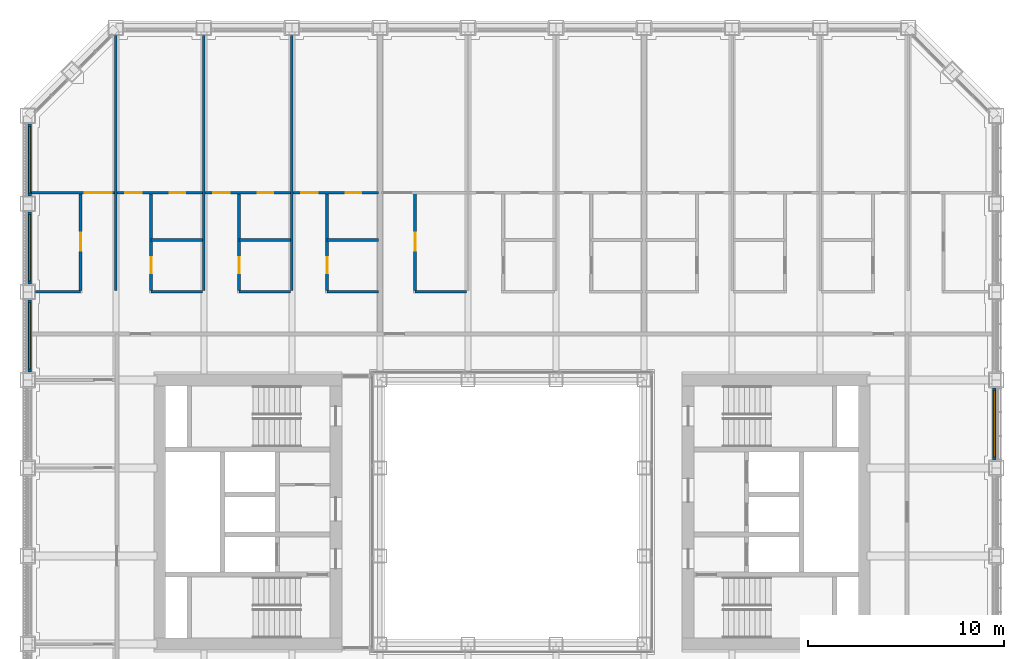
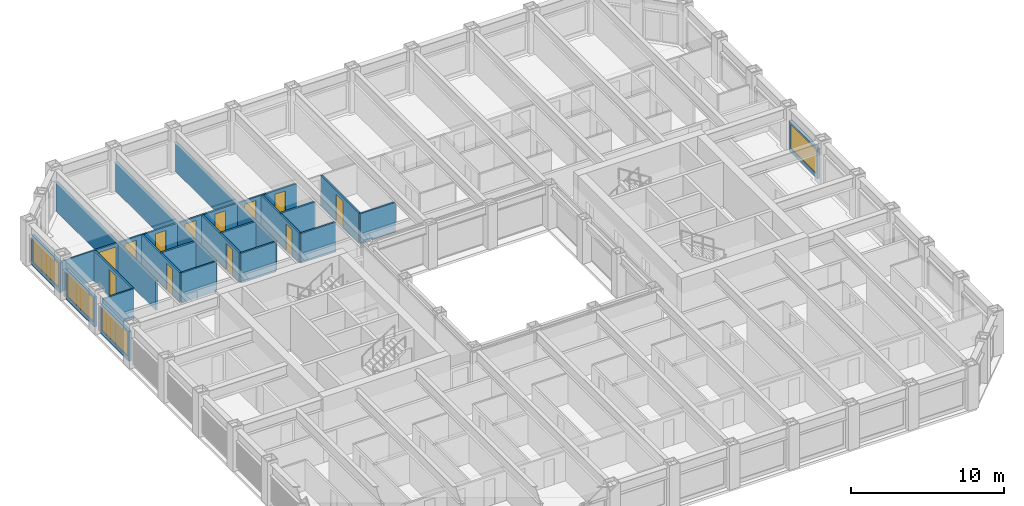
# One storey, part 13 of 21: 24 walls, 12 doors, 4 windows, 16 openings.
"""IFC4 building model written with IfcOpenShell, lengths in metres."""

from ifc_helpers import new_model, si_unit, direction, frame, frame_2d, origin, place, context, subcontext, project, spatial, rectangle, extrude, material, layer, layer_set, type_object, element, fill, save


model = new_model("IFC4")

# Units and contexts
model_context = context("Model", 3, precision=1e-05, world=origin(), true_north=direction((0.0, 1.0)))
body_context = subcontext(model_context, "Body", "Model", "MODEL_VIEW")
ifc_project = project(units=[si_unit("LENGTHUNIT", "METRE"), si_unit("AREAUNIT", "SQUARE_METRE"), si_unit("VOLUMEUNIT", "CUBIC_METRE"), si_unit("PLANEANGLEUNIT", "RADIAN"), si_unit("MASSUNIT", "GRAM", prefix="KILO")], contexts=[model_context])

# Site, building, storey
site_placement = place(None, origin())
site = spatial("IfcSite", under=ifc_project, at=site_placement, CompositionType="ELEMENT")
building_placement = place(site_placement, origin())
building = spatial("IfcBuilding", under=site, at=building_placement, Name="Msasa Ring Tower", CompositionType="ELEMENT")
storey_placement = place(building_placement, frame((0.0, 0.0, 96.5)))
storey = spatial("IfcBuildingStorey", under=building, at=storey_placement, Name="L25", CompositionType="ELEMENT", Elevation=96.5)

# Wall, opening, window
ifc_material_1 = material(Name="Terracotta rainscreen on blockwork", Category="masonry")
ifc_layer_1 = layer(ifc_material_1, 0.199951171875)
ifc_layer_set_1 = layer_set([ifc_layer_1], Name="FW1 TERRACOTTA-LINED INFILL BAY WALL 200")
wall_type_1 = type_object("IfcWallType", Name="FW1 TERRACOTTA-LINED INFILL BAY WALL 200", PredefinedType="SOLIDWALL", material=ifc_layer_set_1)
wall_1_placement = place(storey_placement, frame((24.64990234375, 2.655029296875, 0.0), z_axis=(0.0, 0.0, 1.0), x_axis=(0.0, 1.0, 0.0)))
wall_1 = element("IfcWall", 1, at=wall_1_placement, inside=storey, type_object=wall_type_1, Name="Infill bay wall E L25 16", PredefinedType="SOLIDWALL", context=body_context, shape_type="SweptSolid", body=[
    extrude(rectangle(XDim=3.68994140625, YDim=0.199951171875, at=frame_2d((1.844970703125, 0.0))), origin(), (0.0, 0.0, 1.0), 2.37890625),
])
opening_1_placement = place(wall_1_placement, frame((0.14501953125, 0.0, 0.300048828125)))
opening_1 = element("IfcOpeningElement", 2, at=opening_1_placement, cuts=wall_1, Name="Opening WN1", PredefinedType="OPENING", context=body_context, shape_type="SweptSolid", body=[
    extrude(rectangle(XDim=3.39990234375, YDim=1.928955078125, at=frame_2d((1.699951171875, 0.96435546875))), frame((0.0, 0.10986328125, 0.0), z_axis=(0.0, -1.0, 0.0), x_axis=(1.0, 0.0, 0.0)), (0.0, 0.0, 1.0), 0.219970703125),
])
ifc_material_2 = material(Name="Aluminium frame with clear glass", Category="aluminium")
window_type = type_object("IfcWindowType", Name="WN1 RESIDENCE WINDOW 3400x1929", PartitioningType="SINGLE_PANEL", PredefinedType="WINDOW", material=ifc_material_2)
window_1_placement = place(opening_1_placement, origin())
window_1 = element("IfcWindow", 3, at=window_1_placement, inside=storey, type_object=window_type, Name="Window E L25 16", OverallHeight=1.928955078125, OverallWidth=3.39990234375, PartitioningType="SINGLE_PANEL", PredefinedType="WINDOW", context=body_context, shape_type="SweptSolid", body=[
    extrude(rectangle(XDim=3.39990234375, YDim=1.928955078125, at=frame_2d((1.699951171875, 0.96435546875))), frame((0.0, 0.030029296875, 0.0), z_axis=(0.0, -1.0, 0.0), x_axis=(1.0, 0.0, 0.0)), (0.0, 0.0, 1.0), 0.06005859375),
])
fill(opening_1, window_1)

wall_2_placement = place(storey_placement, frame((-24.64990234375, 7.155029296875, 0.0), z_axis=(0.0, 0.0, 1.0), x_axis=(0.0, 1.0, 0.0)))
wall_2 = element("IfcWall", 4, at=wall_2_placement, inside=storey, type_object=wall_type_1, Name="Infill bay wall W L25 39", PredefinedType="SOLIDWALL", context=body_context, shape_type="SweptSolid", body=[
    extrude(rectangle(XDim=3.68994140625, YDim=0.199951171875, at=frame_2d((1.844970703125, 0.0))), origin(), (0.0, 0.0, 1.0), 2.37890625),
])
opening_2_placement = place(wall_2_placement, frame((0.14501953125, 0.0, 0.300048828125)))
opening_2 = element("IfcOpeningElement", 5, at=opening_2_placement, cuts=wall_2, Name="Opening WN1", PredefinedType="OPENING", context=body_context, shape_type="SweptSolid", body=[
    extrude(rectangle(XDim=3.39990234375, YDim=1.928955078125, at=frame_2d((1.699951171875, 0.96435546875))), frame((0.0, 0.10986328125, 0.0), z_axis=(0.0, -1.0, 0.0), x_axis=(1.0, 0.0, 0.0)), (0.0, 0.0, 1.0), 0.219970703125),
])
window_2_placement = place(opening_2_placement, origin())
window_2 = element("IfcWindow", 6, at=window_2_placement, inside=storey, type_object=window_type, Name="Window W L25 39", OverallHeight=1.928955078125, OverallWidth=3.39990234375, PartitioningType="SINGLE_PANEL", PredefinedType="WINDOW", context=body_context, shape_type="SweptSolid", body=[
    extrude(rectangle(XDim=3.39990234375, YDim=1.928955078125, at=frame_2d((1.699951171875, 0.96435546875))), frame((0.0, 0.030029296875, 0.0), z_axis=(0.0, -1.0, 0.0), x_axis=(1.0, 0.0, 0.0)), (0.0, 0.0, 1.0), 0.06005859375),
])
fill(opening_2, window_2)

wall_3_placement = place(storey_placement, frame((-24.64990234375, 11.655029296875, 0.0), z_axis=(0.0, 0.0, 1.0), x_axis=(0.0, 1.0, 0.0)))
wall_3 = element("IfcWall", 7, at=wall_3_placement, inside=storey, type_object=wall_type_1, Name="Infill bay wall W L25 40", PredefinedType="SOLIDWALL", context=body_context, shape_type="SweptSolid", body=[
    extrude(rectangle(XDim=3.68994140625, YDim=0.199951171875, at=frame_2d((1.844970703125, 0.0))), origin(), (0.0, 0.0, 1.0), 2.37890625),
])
opening_3_placement = place(wall_3_placement, frame((0.14501953125, 0.0, 0.300048828125)))
opening_3 = element("IfcOpeningElement", 8, at=opening_3_placement, cuts=wall_3, Name="Opening WN1", PredefinedType="OPENING", context=body_context, shape_type="SweptSolid", body=[
    extrude(rectangle(XDim=3.39990234375, YDim=1.928955078125, at=frame_2d((1.699951171875, 0.96435546875))), frame((0.0, 0.10986328125, 0.0), z_axis=(0.0, -1.0, 0.0), x_axis=(1.0, 0.0, 0.0)), (0.0, 0.0, 1.0), 0.219970703125),
])
window_3_placement = place(opening_3_placement, origin())
window_3 = element("IfcWindow", 9, at=window_3_placement, inside=storey, type_object=window_type, Name="Window W L25 40", OverallHeight=1.928955078125, OverallWidth=3.39990234375, PartitioningType="SINGLE_PANEL", PredefinedType="WINDOW", context=body_context, shape_type="SweptSolid", body=[
    extrude(rectangle(XDim=3.39990234375, YDim=1.928955078125, at=frame_2d((1.699951171875, 0.96435546875))), frame((0.0, 0.030029296875, 0.0), z_axis=(0.0, -1.0, 0.0), x_axis=(1.0, 0.0, 0.0)), (0.0, 0.0, 1.0), 0.06005859375),
])
fill(opening_3, window_3)

wall_4_placement = place(storey_placement, frame((-24.64990234375, 16.155029296875, 0.0), z_axis=(0.0, 0.0, 1.0), x_axis=(0.0, 1.0, 0.0)))
wall_4 = element("IfcWall", 10, at=wall_4_placement, inside=storey, type_object=wall_type_1, Name="Infill bay wall W L25 41", PredefinedType="SOLIDWALL", context=body_context, shape_type="SweptSolid", body=[
    extrude(rectangle(XDim=3.68994140625, YDim=0.199951171875, at=frame_2d((1.844970703125, 0.0))), origin(), (0.0, 0.0, 1.0), 2.37890625),
])
opening_4_placement = place(wall_4_placement, frame((0.14501953125, 0.0, 0.300048828125)))
opening_4 = element("IfcOpeningElement", 11, at=opening_4_placement, cuts=wall_4, Name="Opening WN1", PredefinedType="OPENING", context=body_context, shape_type="SweptSolid", body=[
    extrude(rectangle(XDim=3.39990234375, YDim=1.928955078125, at=frame_2d((1.699951171875, 0.96435546875))), frame((0.0, 0.10986328125, 0.0), z_axis=(0.0, -1.0, 0.0), x_axis=(1.0, 0.0, 0.0)), (0.0, 0.0, 1.0), 0.219970703125),
])
window_4_placement = place(opening_4_placement, origin())
window_4 = element("IfcWindow", 12, at=window_4_placement, inside=storey, type_object=window_type, Name="Window W L25 41", OverallHeight=1.928955078125, OverallWidth=3.39990234375, PartitioningType="SINGLE_PANEL", PredefinedType="WINDOW", context=body_context, shape_type="SweptSolid", body=[
    extrude(rectangle(XDim=3.39990234375, YDim=1.928955078125, at=frame_2d((1.699951171875, 0.96435546875))), frame((0.0, 0.030029296875, 0.0), z_axis=(0.0, -1.0, 0.0), x_axis=(1.0, 0.0, 0.0)), (0.0, 0.0, 1.0), 0.06005859375),
])
fill(opening_4, window_4)

# Wall, opening, door
ifc_material_3 = material(Name="Moisture-resistant board on steel studs with a concealed cistern and pipe void, tiled", Category="steel")
ifc_layer_2 = layer(ifc_material_3, 0.14990234375)
ifc_layer_set_2 = layer_set([ifc_layer_2], Name="PT4 BATHROOM WET WALL 150")
wall_type_2 = type_object("IfcWallType", Name="PT4 BATHROOM WET WALL 150", PredefinedType="PARTITIONING", material=ifc_layer_set_2)
wall_5_placement = place(storey_placement, frame((-22.050048828125, 11.3125, 0.0), z_axis=(0.0, 0.0, 1.0), x_axis=(0.0, 1.0, 0.0)))
wall_5 = element("IfcWall", 13, at=wall_5_placement, inside=storey, type_object=wall_type_2, Name="Partition L25-UN00SX0", PredefinedType="PARTITIONING", context=body_context, shape_type="SweptSolid", body=[
    extrude(rectangle(XDim=5.0, YDim=0.14990234375, at=frame_2d((2.5, 0.0))), origin(), (0.0, 0.0, 1.0), 2.373291015625),
])
opening_5_placement = place(wall_5_placement, frame((2.050048828125, 0.0, 0.0)))
opening_5 = element("IfcOpeningElement", 14, at=opening_5_placement, cuts=wall_5, Name="Opening RG-020", PredefinedType="OPENING", context=body_context, shape_type="SweptSolid", body=[
    extrude(rectangle(XDim=0.89990234375, YDim=2.10009765625, at=frame_2d((0.449951171875, 1.050048828125))), frame((0.0, 0.0849609375, 0.0), z_axis=(0.0, -1.0, 0.0), x_axis=(1.0, 0.0, 0.0)), (0.0, 0.0, 1.0), 0.169921875),
])
ifc_material_4 = material(Name="Timber door leaf in a steel frame", Category="steel")
door_type_1 = type_object("IfcDoorType", Name="D22 INTERNAL HALL DOOR 900x2100", OperationType="SINGLE_SWING_LEFT", PredefinedType="DOOR", material=ifc_material_4)
door_1_placement = place(opening_5_placement, origin())
door_1 = element("IfcDoor", 15, at=door_1_placement, inside=storey, type_object=door_type_1, Name="Door L25-UN00K", OperationType="SINGLE_SWING_LEFT", OverallHeight=2.10009765625, OverallWidth=0.89990234375, PredefinedType="DOOR", context=body_context, shape_type="SweptSolid", body=[
    extrude(rectangle(XDim=0.89990234375, YDim=2.10009765625, at=frame_2d((0.449951171875, 1.050048828125))), frame((0.0, 0.02490234375, 0.0), z_axis=(0.0, -1.0, 0.0), x_axis=(1.0, 0.0, 0.0)), (0.0, 0.0, 1.0), 0.050048828125),
])
fill(opening_5, door_1)

wall_6_placement = place(storey_placement, frame((-18.449951171875, 11.3125, 0.0), z_axis=(0.0, 0.0, 1.0), x_axis=(0.0, 1.0, 0.0)))
wall_6 = element("IfcWall", 16, at=wall_6_placement, inside=storey, type_object=wall_type_2, Name="Partition L25-UN00SX1", PredefinedType="PARTITIONING", context=body_context, shape_type="SweptSolid", body=[
    extrude(rectangle(XDim=5.0, YDim=0.14990234375, at=frame_2d((2.5, 0.0))), origin(), (0.0, 0.0, 1.0), 2.373291015625),
])
opening_6_placement = place(wall_6_placement, frame((0.89990234375, 0.0, 0.0)))
opening_6 = element("IfcOpeningElement", 17, at=opening_6_placement, cuts=wall_6, Name="Opening RG-023", PredefinedType="OPENING", context=body_context, shape_type="SweptSolid", body=[
    extrude(rectangle(XDim=0.800048828125, YDim=2.10009765625, at=frame_2d((0.39990234375, 1.050048828125))), frame((0.0, 0.0849609375, 0.0), z_axis=(0.0, -1.0, 0.0), x_axis=(1.0, 0.0, 0.0)), (0.0, 0.0, 1.0), 0.169921875),
])
ifc_material_5 = material(Name="Timber door leaf in a steel frame", Category="steel")
door_type_2 = type_object("IfcDoorType", Name="D21 POCKET SLIDING BATHROOM DOOR 800x2100", OperationType="SINGLE_SWING_LEFT", PredefinedType="DOOR", material=ifc_material_5)
door_2_placement = place(opening_6_placement, origin())
door_2 = element("IfcDoor", 18, at=door_2_placement, inside=storey, type_object=door_type_2, Name="Door L25-UN00B1", OperationType="SINGLE_SWING_LEFT", OverallHeight=2.10009765625, OverallWidth=0.800048828125, PredefinedType="DOOR", context=body_context, shape_type="SweptSolid", body=[
    extrude(rectangle(XDim=0.800048828125, YDim=2.10009765625, at=frame_2d((0.39990234375, 1.050048828125))), frame((0.0, 0.02490234375, 0.0), z_axis=(0.0, -1.0, 0.0), x_axis=(1.0, 0.0, 0.0)), (0.0, 0.0, 1.0), 0.050048828125),
])
fill(opening_6, door_2)

# Wall
wall_7_placement = place(storey_placement, frame((-18.449951171875, 13.91259765625, 0.0), z_axis=(0.0, 0.0, 1.0), x_axis=(1.0, 0.0, 0.0)))
element("IfcWall", 19, at=wall_7_placement, inside=storey, type_object=wall_type_2, Name="Partition L25-UN00SB1", PredefinedType="PARTITIONING", context=body_context, shape_type="SweptSolid", body=[
    extrude(rectangle(XDim=2.637451171875, YDim=0.14990234375, at=frame_2d((1.31884765625, 0.0))), origin(), (0.0, 0.0, 1.0), 2.373291015625),
])

# Wall, opening, door
wall_8_placement = place(storey_placement, frame((-13.949951171875, 11.3125, 0.0), z_axis=(0.0, 0.0, 1.0), x_axis=(0.0, 1.0, 0.0)))
wall_8 = element("IfcWall", 20, at=wall_8_placement, inside=storey, type_object=wall_type_2, Name="Partition L25-UN00SX2", PredefinedType="PARTITIONING", context=body_context, shape_type="SweptSolid", body=[
    extrude(rectangle(XDim=5.0, YDim=0.14990234375, at=frame_2d((2.5, 0.0))), origin(), (0.0, 0.0, 1.0), 2.373291015625),
])
opening_7_placement = place(wall_8_placement, frame((0.89990234375, 0.0, 0.0)))
opening_7 = element("IfcOpeningElement", 21, at=opening_7_placement, cuts=wall_8, Name="Opening RG-024", PredefinedType="OPENING", context=body_context, shape_type="SweptSolid", body=[
    extrude(rectangle(XDim=0.800048828125, YDim=2.10009765625, at=frame_2d((0.39990234375, 1.050048828125))), frame((0.0, 0.0849609375, 0.0), z_axis=(0.0, -1.0, 0.0), x_axis=(1.0, 0.0, 0.0)), (0.0, 0.0, 1.0), 0.169921875),
])
door_3_placement = place(opening_7_placement, origin())
door_3 = element("IfcDoor", 22, at=door_3_placement, inside=storey, type_object=door_type_2, Name="Door L25-UN00B2", OperationType="SINGLE_SWING_LEFT", OverallHeight=2.10009765625, OverallWidth=0.800048828125, PredefinedType="DOOR", context=body_context, shape_type="SweptSolid", body=[
    extrude(rectangle(XDim=0.800048828125, YDim=2.10009765625, at=frame_2d((0.39990234375, 1.050048828125))), frame((0.0, 0.02490234375, 0.0), z_axis=(0.0, -1.0, 0.0), x_axis=(1.0, 0.0, 0.0)), (0.0, 0.0, 1.0), 0.050048828125),
])
fill(opening_7, door_3)

# Wall
wall_9_placement = place(storey_placement, frame((-13.949951171875, 13.91259765625, 0.0), z_axis=(0.0, 0.0, 1.0), x_axis=(1.0, 0.0, 0.0)))
element("IfcWall", 23, at=wall_9_placement, inside=storey, type_object=wall_type_2, Name="Partition L25-UN00SB2", PredefinedType="PARTITIONING", context=body_context, shape_type="SweptSolid", body=[
    extrude(rectangle(XDim=2.637451171875, YDim=0.14990234375, at=frame_2d((1.31884765625, 0.0))), origin(), (0.0, 0.0, 1.0), 2.373291015625),
])

# Wall, opening, door
wall_10_placement = place(storey_placement, frame((-9.449951171875, 11.3125, 0.0), z_axis=(0.0, 0.0, 1.0), x_axis=(0.0, 1.0, 0.0)))
wall_10 = element("IfcWall", 24, at=wall_10_placement, inside=storey, type_object=wall_type_2, Name="Partition L25-UN00SX3", PredefinedType="PARTITIONING", context=body_context, shape_type="SweptSolid", body=[
    extrude(rectangle(XDim=5.0, YDim=0.14990234375, at=frame_2d((2.5, 0.0))), origin(), (0.0, 0.0, 1.0), 2.373291015625),
])
opening_8_placement = place(wall_10_placement, frame((0.89990234375, 0.0, 0.0)))
opening_8 = element("IfcOpeningElement", 25, at=opening_8_placement, cuts=wall_10, Name="Opening RG-025", PredefinedType="OPENING", context=body_context, shape_type="SweptSolid", body=[
    extrude(rectangle(XDim=0.800048828125, YDim=2.10009765625, at=frame_2d((0.39990234375, 1.050048828125))), frame((0.0, 0.0849609375, 0.0), z_axis=(0.0, -1.0, 0.0), x_axis=(1.0, 0.0, 0.0)), (0.0, 0.0, 1.0), 0.169921875),
])
door_4_placement = place(opening_8_placement, origin())
door_4 = element("IfcDoor", 26, at=door_4_placement, inside=storey, type_object=door_type_2, Name="Door L25-UN00B3", OperationType="SINGLE_SWING_LEFT", OverallHeight=2.10009765625, OverallWidth=0.800048828125, PredefinedType="DOOR", context=body_context, shape_type="SweptSolid", body=[
    extrude(rectangle(XDim=0.800048828125, YDim=2.10009765625, at=frame_2d((0.39990234375, 1.050048828125))), frame((0.0, 0.02490234375, 0.0), z_axis=(0.0, -1.0, 0.0), x_axis=(1.0, 0.0, 0.0)), (0.0, 0.0, 1.0), 0.050048828125),
])
fill(opening_8, door_4)

# Wall
wall_11_placement = place(storey_placement, frame((-9.449951171875, 13.91259765625, 0.0), z_axis=(0.0, 0.0, 1.0), x_axis=(1.0, 0.0, 0.0)))
element("IfcWall", 27, at=wall_11_placement, inside=storey, type_object=wall_type_2, Name="Partition L25-UN00SB3", PredefinedType="PARTITIONING", context=body_context, shape_type="SweptSolid", body=[
    extrude(rectangle(XDim=2.632568359375, YDim=0.14990234375, at=frame_2d((1.31640625, 0.0))), origin(), (0.0, 0.0, 1.0), 2.373291015625),
])

# Wall, opening, door
wall_12_placement = place(storey_placement, frame((-4.949951171875, 11.3125, 0.0), z_axis=(0.0, 0.0, 1.0), x_axis=(0.0, 1.0, 0.0)))
wall_12 = element("IfcWall", 28, at=wall_12_placement, inside=storey, type_object=wall_type_2, Name="Partition L25-UN01SX0", PredefinedType="PARTITIONING", context=body_context, shape_type="SweptSolid", body=[
    extrude(rectangle(XDim=5.0, YDim=0.14990234375, at=frame_2d((2.5, 0.0))), origin(), (0.0, 0.0, 1.0), 2.373291015625),
])
opening_9_placement = place(wall_12_placement, frame((2.050048828125, 0.0, 0.0)))
opening_9 = element("IfcOpeningElement", 29, at=opening_9_placement, cuts=wall_12, Name="Opening RG-021", PredefinedType="OPENING", context=body_context, shape_type="SweptSolid", body=[
    extrude(rectangle(XDim=0.89990234375, YDim=2.10009765625, at=frame_2d((0.449951171875, 1.050048828125))), frame((0.0, 0.0849609375, 0.0), z_axis=(0.0, -1.0, 0.0), x_axis=(1.0, 0.0, 0.0)), (0.0, 0.0, 1.0), 0.169921875),
])
door_5_placement = place(opening_9_placement, origin())
door_5 = element("IfcDoor", 30, at=door_5_placement, inside=storey, type_object=door_type_1, Name="Door L25-UN01K", OperationType="SINGLE_SWING_LEFT", OverallHeight=2.10009765625, OverallWidth=0.89990234375, PredefinedType="DOOR", context=body_context, shape_type="SweptSolid", body=[
    extrude(rectangle(XDim=0.89990234375, YDim=2.10009765625, at=frame_2d((0.449951171875, 1.050048828125))), frame((0.0, 0.02490234375, 0.0), z_axis=(0.0, -1.0, 0.0), x_axis=(1.0, 0.0, 0.0)), (0.0, 0.0, 1.0), 0.050048828125),
])
fill(opening_9, door_5)

# Wall
ifc_material_6 = material(Name="Two layers of acoustic board each face on steel studs, mineral wool", Category="steel")
ifc_layer_3 = layer(ifc_material_6, 0.125)
ifc_layer_set_3 = layer_set([ifc_layer_3], Name="PT6 ACOUSTIC DOUBLE-BOARD PARTITION 125")
wall_type_3 = type_object("IfcWallType", Name="PT6 ACOUSTIC DOUBLE-BOARD PARTITION 125", PredefinedType="PARTITIONING", material=ifc_layer_set_3)
wall_13_placement = place(storey_placement, frame((-24.35009765625, 11.25, 0.0), z_axis=(0.0, 0.0, 1.0), x_axis=(1.0, 0.0, 0.0)))
element("IfcWall", 31, at=wall_13_placement, inside=storey, type_object=wall_type_3, Name="Partition L25-UN00HY0", PredefinedType="PARTITIONING", context=body_context, shape_type="SweptSolid", body=[
    extrude(rectangle(XDim=2.300048828125, YDim=0.125, at=frame_2d((1.14990234375, 0.0))), origin(), (0.0, 0.0, 1.0), 2.373291015625),
])

# Wall, opening, door
wall_14_placement = place(storey_placement, frame((-24.550048828125, 16.3125, 0.0), z_axis=(0.0, 0.0, 1.0), x_axis=(1.0, 0.0, 0.0)))
wall_14 = element("IfcWall", 32, at=wall_14_placement, inside=storey, type_object=wall_type_3, Name="Partition L25-UN00SY0", PredefinedType="PARTITIONING", context=body_context, shape_type="SweptSolid", body=[
    extrude(rectangle(XDim=4.237548828125, YDim=0.125, at=frame_2d((2.11865234375, 0.0))), origin(), (0.0, 0.0, 1.0), 2.373291015625),
])
opening_10_placement = place(wall_14_placement, frame((2.699951171875, 0.0, 0.0)))
opening_10 = element("IfcOpeningElement", 33, at=opening_10_placement, cuts=wall_14, Name="Opening RG-001", PredefinedType="OPENING", context=body_context, shape_type="SweptSolid", body=[
    extrude(rectangle(XDim=1.39990234375, YDim=2.10009765625, at=frame_2d((0.699951171875, 1.050048828125))), frame((0.0, 0.072509765625, 0.0), z_axis=(0.0, -1.0, 0.0), x_axis=(1.0, 0.0, 0.0)), (0.0, 0.0, 1.0), 0.14501953125),
])
ifc_material_7 = material(Name="Timber door leaf in a steel frame", Category="steel")
door_type_3 = type_object("IfcDoorType", Name="D15 LIVING ROOM PAIR OF GLAZED DOORS 1400x2100", OperationType="SINGLE_SWING_LEFT", PredefinedType="DOOR", material=ifc_material_7)
door_6_placement = place(opening_10_placement, origin())
door_6 = element("IfcDoor", 34, at=door_6_placement, inside=storey, type_object=door_type_3, Name="Door L25-UN00L", OperationType="SINGLE_SWING_RIGHT", OverallHeight=2.10009765625, OverallWidth=1.39990234375, PredefinedType="DOOR", context=body_context, shape_type="SweptSolid", body=[
    extrude(rectangle(XDim=1.39990234375, YDim=2.10009765625, at=frame_2d((0.699951171875, 1.050048828125))), frame((0.0, 0.02490234375, 0.0), z_axis=(0.0, -1.0, 0.0), x_axis=(1.0, 0.0, 0.0)), (0.0, 0.0, 1.0), 0.050048828125),
])
fill(opening_10, door_6)

# Walls
wall_15_placement = place(storey_placement, frame((-20.25, 11.3125, 0.0), z_axis=(0.0, 0.0, 1.0), x_axis=(0.0, 1.0, 0.0)))
element("IfcWall", 35, at=wall_15_placement, inside=storey, type_object=wall_type_3, Name="Partition L25-UN00P1", PredefinedType="PARTITIONING", context=body_context, shape_type="SweptSolid", body=[
    extrude(rectangle(XDim=13.03759765625, YDim=0.125, at=frame_2d((6.518798828125, 0.0))), origin(), (0.0, 0.0, 1.0), 2.373291015625),
])
wall_16_placement = place(storey_placement, frame((-18.449951171875, 11.25, 0.0), z_axis=(0.0, 0.0, 1.0), x_axis=(1.0, 0.0, 0.0)))
element("IfcWall", 36, at=wall_16_placement, inside=storey, type_object=wall_type_3, Name="Partition L25-UN00HY1", PredefinedType="PARTITIONING", context=body_context, shape_type="SweptSolid", body=[
    extrude(rectangle(XDim=2.632568359375, YDim=0.125, at=frame_2d((1.31640625, 0.0))), origin(), (0.0, 0.0, 1.0), 2.373291015625),
])

# Wall, openings, doors
wall_17_placement = place(storey_placement, frame((-20.1875, 16.3125, 0.0), z_axis=(0.0, 0.0, 1.0), x_axis=(1.0, 0.0, 0.0)))
wall_17 = element("IfcWall", 37, at=wall_17_placement, inside=storey, type_object=wall_type_3, Name="Partition L25-UN00SY1", PredefinedType="PARTITIONING", context=body_context, shape_type="SweptSolid", body=[
    extrude(rectangle(XDim=4.375, YDim=0.125, at=frame_2d((2.1875, 0.0))), origin(), (0.0, 0.0, 1.0), 2.373291015625),
])
opening_11_placement = place(wall_17_placement, frame((0.41259765625, 0.0, 0.0)))
opening_11 = element("IfcOpeningElement", 38, at=opening_11_placement, cuts=wall_17, Name="Opening RG-002", PredefinedType="OPENING", context=body_context, shape_type="SweptSolid", body=[
    extrude(rectangle(XDim=0.85009765625, YDim=2.10009765625, at=frame_2d((0.425048828125, 1.050048828125))), frame((0.0, 0.072509765625, 0.0), z_axis=(0.0, -1.0, 0.0), x_axis=(1.0, 0.0, 0.0)), (0.0, 0.0, 1.0), 0.14501953125),
])
opening_12_placement = place(wall_17_placement, frame((2.693603515625, 0.0, 0.0)))
opening_12 = element("IfcOpeningElement", 39, at=opening_12_placement, cuts=wall_17, Name="Opening RG-003", PredefinedType="OPENING", context=body_context, shape_type="SweptSolid", body=[
    extrude(rectangle(XDim=0.800048828125, YDim=2.10009765625, at=frame_2d((0.39990234375, 1.050048828125))), frame((0.0, 0.072509765625, 0.0), z_axis=(0.0, -1.0, 0.0), x_axis=(1.0, 0.0, 0.0)), (0.0, 0.0, 1.0), 0.14501953125),
])
ifc_material_8 = material(Name="Timber door leaf in a steel frame", Category="steel")
door_type_4 = type_object("IfcDoorType", Name="D14 BEDROOM DOOR 850x2100", OperationType="SINGLE_SWING_LEFT", PredefinedType="DOOR", material=ifc_material_8)
door_7_placement = place(opening_11_placement, origin())
door_7 = element("IfcDoor", 40, at=door_7_placement, inside=storey, type_object=door_type_4, Name="Door L25-UN00R1", OperationType="SINGLE_SWING_LEFT", OverallHeight=2.10009765625, OverallWidth=0.85009765625, PredefinedType="DOOR", context=body_context, shape_type="SweptSolid", body=[
    extrude(rectangle(XDim=0.85009765625, YDim=2.10009765625, at=frame_2d((0.425048828125, 1.050048828125))), frame((0.0, 0.02490234375, 0.0), z_axis=(0.0, -1.0, 0.0), x_axis=(1.0, 0.0, 0.0)), (0.0, 0.0, 1.0), 0.050048828125),
])
fill(opening_11, door_7)
ifc_material_9 = material(Name="Timber door leaf in a steel frame", Category="steel")
door_type_5 = type_object("IfcDoorType", Name="D60 DRESSING ROOM DOOR 800x2100", OperationType="SINGLE_SWING_LEFT", PredefinedType="DOOR", material=ifc_material_9)
door_8_placement = place(opening_12_placement, origin())
door_8 = element("IfcDoor", 41, at=door_8_placement, inside=storey, type_object=door_type_5, Name="Door L25-UN00W1", OperationType="SINGLE_SWING_RIGHT", OverallHeight=2.10009765625, OverallWidth=0.800048828125, PredefinedType="DOOR", context=body_context, shape_type="SweptSolid", body=[
    extrude(rectangle(XDim=0.800048828125, YDim=2.10009765625, at=frame_2d((0.39990234375, 1.050048828125))), frame((0.0, 0.02490234375, 0.0), z_axis=(0.0, -1.0, 0.0), x_axis=(1.0, 0.0, 0.0)), (0.0, 0.0, 1.0), 0.050048828125),
])
fill(opening_12, door_8)

# Walls
wall_18_placement = place(storey_placement, frame((-15.75, 11.3125, 0.0), z_axis=(0.0, 0.0, 1.0), x_axis=(0.0, 1.0, 0.0)))
element("IfcWall", 42, at=wall_18_placement, inside=storey, type_object=wall_type_3, Name="Partition L25-UN00P2", PredefinedType="PARTITIONING", context=body_context, shape_type="SweptSolid", body=[
    extrude(rectangle(XDim=13.03759765625, YDim=0.125, at=frame_2d((6.518798828125, 0.0))), origin(), (0.0, 0.0, 1.0), 2.373291015625),
])
wall_19_placement = place(storey_placement, frame((-13.949951171875, 11.25, 0.0), z_axis=(0.0, 0.0, 1.0), x_axis=(1.0, 0.0, 0.0)))
element("IfcWall", 43, at=wall_19_placement, inside=storey, type_object=wall_type_3, Name="Partition L25-UN00HY2", PredefinedType="PARTITIONING", context=body_context, shape_type="SweptSolid", body=[
    extrude(rectangle(XDim=2.632568359375, YDim=0.125, at=frame_2d((1.31640625, 0.0))), origin(), (0.0, 0.0, 1.0), 2.373291015625),
])

# Wall, openings, doors
wall_20_placement = place(storey_placement, frame((-15.6875, 16.3125, 0.0), z_axis=(0.0, 0.0, 1.0), x_axis=(1.0, 0.0, 0.0)))
wall_20 = element("IfcWall", 44, at=wall_20_placement, inside=storey, type_object=wall_type_3, Name="Partition L25-UN00SY2", PredefinedType="PARTITIONING", context=body_context, shape_type="SweptSolid", body=[
    extrude(rectangle(XDim=4.375, YDim=0.125, at=frame_2d((2.1875, 0.0))), origin(), (0.0, 0.0, 1.0), 2.373291015625),
])
opening_13_placement = place(wall_20_placement, frame((0.41259765625, 0.0, 0.0)))
opening_13 = element("IfcOpeningElement", 45, at=opening_13_placement, cuts=wall_20, Name="Opening RG-004", PredefinedType="OPENING", context=body_context, shape_type="SweptSolid", body=[
    extrude(rectangle(XDim=0.85009765625, YDim=2.10009765625, at=frame_2d((0.425048828125, 1.050048828125))), frame((0.0, 0.072509765625, 0.0), z_axis=(0.0, -1.0, 0.0), x_axis=(1.0, 0.0, 0.0)), (0.0, 0.0, 1.0), 0.14501953125),
])
opening_14_placement = place(wall_20_placement, frame((2.693603515625, 0.0, 0.0)))
opening_14 = element("IfcOpeningElement", 46, at=opening_14_placement, cuts=wall_20, Name="Opening RG-005", PredefinedType="OPENING", context=body_context, shape_type="SweptSolid", body=[
    extrude(rectangle(XDim=0.800048828125, YDim=2.10009765625, at=frame_2d((0.39990234375, 1.050048828125))), frame((0.0, 0.072509765625, 0.0), z_axis=(0.0, -1.0, 0.0), x_axis=(1.0, 0.0, 0.0)), (0.0, 0.0, 1.0), 0.14501953125),
])
door_9_placement = place(opening_13_placement, origin())
door_9 = element("IfcDoor", 47, at=door_9_placement, inside=storey, type_object=door_type_4, Name="Door L25-UN00R2", OperationType="SINGLE_SWING_LEFT", OverallHeight=2.10009765625, OverallWidth=0.85009765625, PredefinedType="DOOR", context=body_context, shape_type="SweptSolid", body=[
    extrude(rectangle(XDim=0.85009765625, YDim=2.10009765625, at=frame_2d((0.425048828125, 1.050048828125))), frame((0.0, 0.02490234375, 0.0), z_axis=(0.0, -1.0, 0.0), x_axis=(1.0, 0.0, 0.0)), (0.0, 0.0, 1.0), 0.050048828125),
])
fill(opening_13, door_9)
door_10_placement = place(opening_14_placement, origin())
door_10 = element("IfcDoor", 48, at=door_10_placement, inside=storey, type_object=door_type_5, Name="Door L25-UN00W2", OperationType="SINGLE_SWING_RIGHT", OverallHeight=2.10009765625, OverallWidth=0.800048828125, PredefinedType="DOOR", context=body_context, shape_type="SweptSolid", body=[
    extrude(rectangle(XDim=0.800048828125, YDim=2.10009765625, at=frame_2d((0.39990234375, 1.050048828125))), frame((0.0, 0.02490234375, 0.0), z_axis=(0.0, -1.0, 0.0), x_axis=(1.0, 0.0, 0.0)), (0.0, 0.0, 1.0), 0.050048828125),
])
fill(opening_14, door_10)

# Walls
wall_21_placement = place(storey_placement, frame((-11.25, 11.3125, 0.0), z_axis=(0.0, 0.0, 1.0), x_axis=(0.0, 1.0, 0.0)))
element("IfcWall", 49, at=wall_21_placement, inside=storey, type_object=wall_type_3, Name="Partition L25-UN00P3", PredefinedType="PARTITIONING", context=body_context, shape_type="SweptSolid", body=[
    extrude(rectangle(XDim=13.03759765625, YDim=0.125, at=frame_2d((6.518798828125, 0.0))), origin(), (0.0, 0.0, 1.0), 2.373291015625),
])
wall_22_placement = place(storey_placement, frame((-9.449951171875, 11.25, 0.0), z_axis=(0.0, 0.0, 1.0), x_axis=(1.0, 0.0, 0.0)))
element("IfcWall", 50, at=wall_22_placement, inside=storey, type_object=wall_type_3, Name="Partition L25-UN00HY3", PredefinedType="PARTITIONING", context=body_context, shape_type="SweptSolid", body=[
    extrude(rectangle(XDim=2.632568359375, YDim=0.125, at=frame_2d((1.31640625, 0.0))), origin(), (0.0, 0.0, 1.0), 2.373291015625),
])

# Wall, openings, doors
wall_23_placement = place(storey_placement, frame((-11.1875, 16.3125, 0.0), z_axis=(0.0, 0.0, 1.0), x_axis=(1.0, 0.0, 0.0)))
wall_23 = element("IfcWall", 51, at=wall_23_placement, inside=storey, type_object=wall_type_3, Name="Partition L25-UN00SY3", PredefinedType="PARTITIONING", context=body_context, shape_type="SweptSolid", body=[
    extrude(rectangle(XDim=4.3701171875, YDim=0.125, at=frame_2d((2.18505859375, 0.0))), origin(), (0.0, 0.0, 1.0), 2.373291015625),
])
opening_15_placement = place(wall_23_placement, frame((0.41259765625, 0.0, 0.0)))
opening_15 = element("IfcOpeningElement", 52, at=opening_15_placement, cuts=wall_23, Name="Opening RG-006", PredefinedType="OPENING", context=body_context, shape_type="SweptSolid", body=[
    extrude(rectangle(XDim=0.85009765625, YDim=2.10009765625, at=frame_2d((0.425048828125, 1.050048828125))), frame((0.0, 0.072509765625, 0.0), z_axis=(0.0, -1.0, 0.0), x_axis=(1.0, 0.0, 0.0)), (0.0, 0.0, 1.0), 0.14501953125),
])
opening_16_placement = place(wall_23_placement, frame((2.693603515625, 0.0, 0.0)))
opening_16 = element("IfcOpeningElement", 53, at=opening_16_placement, cuts=wall_23, Name="Opening RG-007", PredefinedType="OPENING", context=body_context, shape_type="SweptSolid", body=[
    extrude(rectangle(XDim=0.800048828125, YDim=2.10009765625, at=frame_2d((0.39990234375, 1.050048828125))), frame((0.0, 0.072509765625, 0.0), z_axis=(0.0, -1.0, 0.0), x_axis=(1.0, 0.0, 0.0)), (0.0, 0.0, 1.0), 0.14501953125),
])
door_11_placement = place(opening_15_placement, origin())
door_11 = element("IfcDoor", 54, at=door_11_placement, inside=storey, type_object=door_type_4, Name="Door L25-UN00R3", OperationType="SINGLE_SWING_LEFT", OverallHeight=2.10009765625, OverallWidth=0.85009765625, PredefinedType="DOOR", context=body_context, shape_type="SweptSolid", body=[
    extrude(rectangle(XDim=0.85009765625, YDim=2.10009765625, at=frame_2d((0.425048828125, 1.050048828125))), frame((0.0, 0.02490234375, 0.0), z_axis=(0.0, -1.0, 0.0), x_axis=(1.0, 0.0, 0.0)), (0.0, 0.0, 1.0), 0.050048828125),
])
fill(opening_15, door_11)
door_12_placement = place(opening_16_placement, origin())
door_12 = element("IfcDoor", 55, at=door_12_placement, inside=storey, type_object=door_type_5, Name="Door L25-UN00W3", OperationType="SINGLE_SWING_RIGHT", OverallHeight=2.10009765625, OverallWidth=0.800048828125, PredefinedType="DOOR", context=body_context, shape_type="SweptSolid", body=[
    extrude(rectangle(XDim=0.800048828125, YDim=2.10009765625, at=frame_2d((0.39990234375, 1.050048828125))), frame((0.0, 0.02490234375, 0.0), z_axis=(0.0, -1.0, 0.0), x_axis=(1.0, 0.0, 0.0)), (0.0, 0.0, 1.0), 0.050048828125),
])
fill(opening_16, door_12)

# Wall
wall_24_placement = place(storey_placement, frame((-4.949951171875, 11.25, 0.0), z_axis=(0.0, 0.0, 1.0), x_axis=(1.0, 0.0, 0.0)))
element("IfcWall", 56, at=wall_24_placement, inside=storey, type_object=wall_type_3, Name="Partition L25-UN01HY0", PredefinedType="PARTITIONING", context=body_context, shape_type="SweptSolid", body=[
    extrude(rectangle(XDim=2.632568359375, YDim=0.125, at=frame_2d((1.31640625, 0.0))), origin(), (0.0, 0.0, 1.0), 2.373291015625),
])

save(model, "model.ifc")
